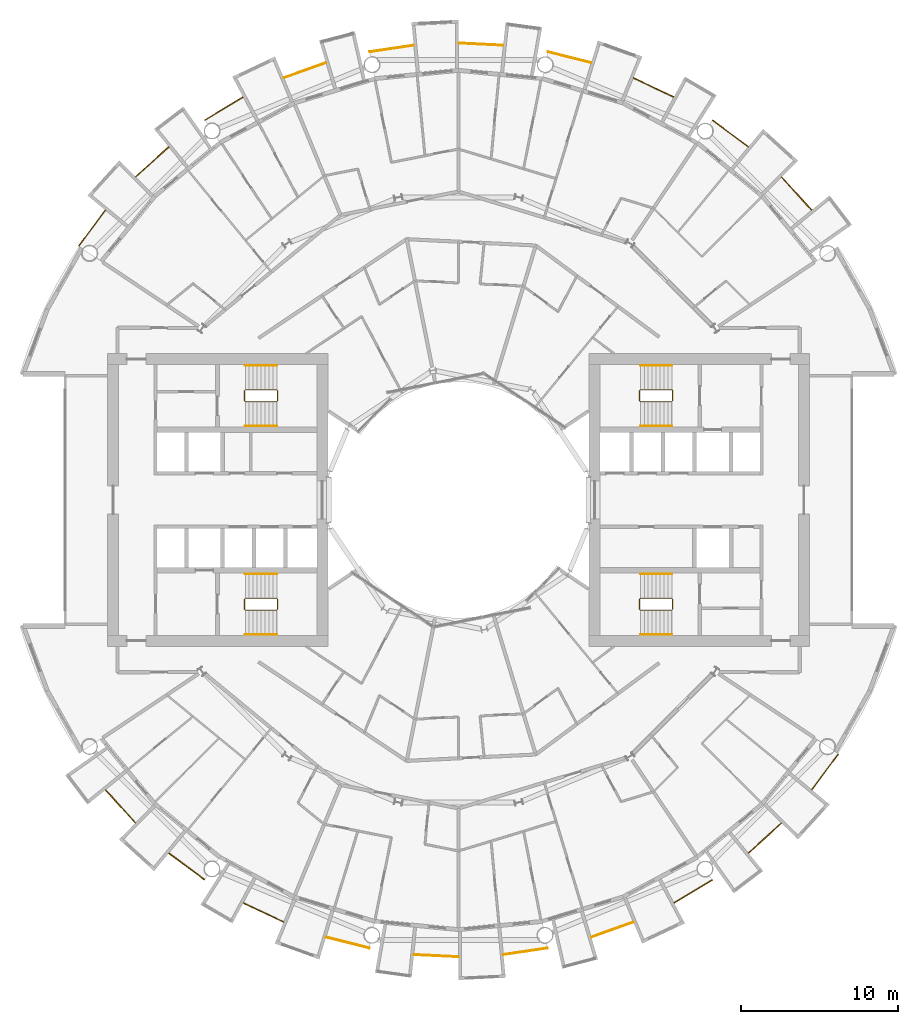
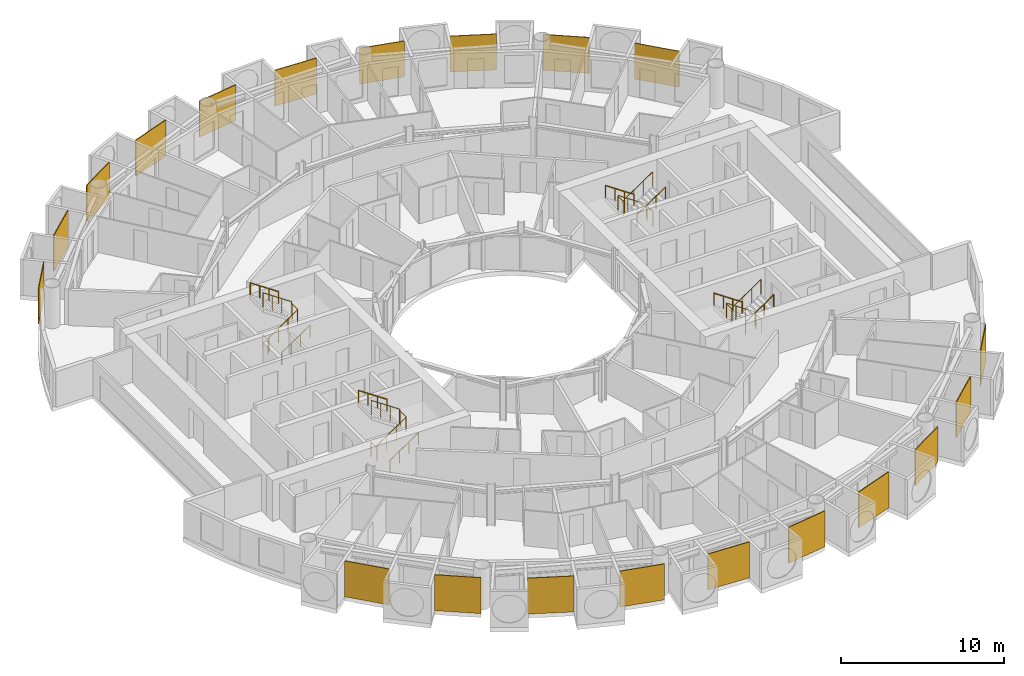
# One storey, part 25 of 25: 32 railings.
"""IFC4 building model written with IfcOpenShell, lengths in metres."""

from ifc_helpers import new_model, si_unit, direction, frame, origin, origin_2d, place, context, subcontext, project, spatial, polyline, circle, outline, extrude, material, layer, layer_set, type_object, element, save


model = new_model("IFC4")

# Units and contexts
model_context = context("Model", 3, precision=1e-05, world=origin(), true_north=direction((0.0, 1.0)))
body_context = subcontext(model_context, "Body", "Model", "MODEL_VIEW")
ifc_project = project(units=[si_unit("LENGTHUNIT", "METRE"), si_unit("AREAUNIT", "SQUARE_METRE"), si_unit("VOLUMEUNIT", "CUBIC_METRE"), si_unit("PLANEANGLEUNIT", "RADIAN"), si_unit("MASSUNIT", "GRAM", prefix="KILO")], contexts=[model_context])

# Site, building, storey
site_placement = place(None, origin())
site = spatial("IfcSite", under=ifc_project, at=site_placement, CompositionType="ELEMENT")
building_placement = place(site_placement, origin())
building = spatial("IfcBuilding", under=site, at=building_placement, Name="Maasbend Ring Residences", CompositionType="ELEMENT")
storey_placement = place(building_placement, frame((0.0, 0.0, 94.10009765625)))
storey = spatial("IfcBuildingStorey", under=building, at=storey_placement, Name="L27", CompositionType="ELEMENT", Elevation=94.10009765625)

# Railings
ifc_material_1 = material(Name="Pale anodised perforated aluminium", Category="aluminium")
ifc_layer = layer(ifc_material_1, 0.06005859375)
ifc_layer_set = layer_set([ifc_layer], Name="SCREEN-P")
railing_type_1 = type_object("IfcRailingType", Name="SCREEN-P", PredefinedType="GUARDRAIL", material=ifc_layer_set)
railing_1_placement = place(storey_placement, frame((0.0, 0.0, -0.030029296875)))
element("IfcRailing", 1, at=railing_1_placement, inside=storey, type_object=railing_type_1, Name="Perforated screen guard 1", PredefinedType="GUARDRAIL", context=body_context, shape_type="SweptSolid", body=[
    extrude(outline(polyline([(22.4169921875, 18.39697265625), (20.506103515625, 20.506103515625), (20.551025390625, 20.5458984375), (22.4619140625, 18.43798828125), (22.4169921875, 18.39697265625)])), origin(), (0.0, 0.0, 1.0), 2.679931640625),
])
railing_2_placement = place(storey_placement, frame((0.0, 0.0, -0.030029296875)))
element("IfcRailing", 2, at=railing_2_placement, inside=storey, type_object=railing_type_1, Name="Perforated screen guard 2", PredefinedType="GUARDRAIL", context=body_context, shape_type="SweptSolid", body=[
    extrude(outline(polyline([(18.39697265625, 22.4169921875), (16.112060546875, 24.113037109375), (16.14697265625, 24.160888671875), (18.43310546875, 22.465087890625), (18.39697265625, 22.4169921875)])), origin(), (0.0, 0.0, 1.0), 2.679931640625),
])
railing_3_placement = place(storey_placement, frame((0.0, 0.0, -0.030029296875)))
element("IfcRailing", 3, at=railing_3_placement, inside=storey, type_object=railing_type_1, Name="Perforated screen guard 3", PredefinedType="GUARDRAIL", context=body_context, shape_type="SweptSolid", body=[
    extrude(outline(polyline([(13.6708984375, 25.575927734375), (11.097900390625, 26.79296875), (11.123046875, 26.846923828125), (13.696044921875, 25.6298828125), (13.6708984375, 25.575927734375)])), origin(), (0.0, 0.0, 1.0), 2.679931640625),
])
railing_4_placement = place(storey_placement, frame((0.0, 0.0, -0.030029296875)))
element("IfcRailing", 4, at=railing_4_placement, inside=storey, type_object=railing_type_1, Name="Perforated screen guard 4", PredefinedType="GUARDRAIL", context=body_context, shape_type="SweptSolid", body=[
    extrude(outline(polyline([(8.41796875, 27.7509765625), (5.657958984375, 28.443115234375), (5.672119140625, 28.5009765625), (8.43310546875, 27.80908203125), (8.41796875, 27.7509765625)])), origin(), (0.0, 0.0, 1.0), 2.679931640625),
])
railing_5_placement = place(storey_placement, frame((0.0, 0.0, -0.030029296875)))
element("IfcRailing", 5, at=railing_5_placement, inside=storey, type_object=railing_type_1, Name="Perforated screen guard 5", PredefinedType="GUARDRAIL", context=body_context, shape_type="SweptSolid", body=[
    extrude(outline(polyline([(2.842041015625, 28.860107421875), (0.0, 29.0), (0.0029296875, 29.06005859375), (2.844970703125, 28.919921875), (2.842041015625, 28.860107421875)])), origin(), (0.0, 0.0, 1.0), 2.679931640625),
])
railing_6_placement = place(storey_placement, frame((0.0, 0.0, -0.030029296875)))
element("IfcRailing", 6, at=railing_6_placement, inside=storey, type_object=railing_type_1, Name="Perforated screen guard 6", PredefinedType="GUARDRAIL", context=body_context, shape_type="SweptSolid", body=[
    extrude(outline(polyline([(-2.842041015625, 28.860107421875), (-5.657958984375, 28.443115234375), (-5.666015625, 28.501953125), (-2.85107421875, 28.919921875), (-2.842041015625, 28.860107421875)])), origin(), (0.0, 0.0, 1.0), 2.679931640625),
])
railing_7_placement = place(storey_placement, frame((0.0, 0.0, -0.030029296875)))
element("IfcRailing", 7, at=railing_7_placement, inside=storey, type_object=railing_type_1, Name="Perforated screen guard 7", PredefinedType="GUARDRAIL", context=body_context, shape_type="SweptSolid", body=[
    extrude(outline(polyline([(-8.41796875, 27.7509765625), (-11.097900390625, 26.79296875), (-11.117919921875, 26.84912109375), (-8.43798828125, 27.80810546875), (-8.41796875, 27.7509765625)])), origin(), (0.0, 0.0, 1.0), 2.679931640625),
])
railing_8_placement = place(storey_placement, frame((0.0, 0.0, -0.030029296875)))
element("IfcRailing", 8, at=railing_8_placement, inside=storey, type_object=railing_type_1, Name="Perforated screen guard 8", PredefinedType="GUARDRAIL", context=body_context, shape_type="SweptSolid", body=[
    extrude(outline(polyline([(-13.6708984375, 25.575927734375), (-16.112060546875, 24.113037109375), (-16.14208984375, 24.1640625), (-13.700927734375, 25.626953125), (-13.6708984375, 25.575927734375)])), origin(), (0.0, 0.0, 1.0), 2.679931640625),
])
railing_9_placement = place(storey_placement, frame((0.0, 0.0, -0.030029296875)))
element("IfcRailing", 9, at=railing_9_placement, inside=storey, type_object=railing_type_1, Name="Perforated screen guard 9", PredefinedType="GUARDRAIL", context=body_context, shape_type="SweptSolid", body=[
    extrude(outline(polyline([(-18.39697265625, 22.4169921875), (-20.506103515625, 20.506103515625), (-20.5458984375, 20.551025390625), (-18.43798828125, 22.4619140625), (-18.39697265625, 22.4169921875)])), origin(), (0.0, 0.0, 1.0), 2.679931640625),
])
railing_10_placement = place(storey_placement, frame((0.0, 0.0, -0.030029296875)))
element("IfcRailing", 10, at=railing_10_placement, inside=storey, type_object=railing_type_1, Name="Perforated screen guard 10", PredefinedType="GUARDRAIL", context=body_context, shape_type="SweptSolid", body=[
    extrude(outline(polyline([(-22.4169921875, 18.39697265625), (-24.113037109375, 16.112060546875), (-24.160888671875, 16.14697265625), (-22.465087890625, 18.43310546875), (-22.4169921875, 18.39697265625)])), origin(), (0.0, 0.0, 1.0), 2.679931640625),
])
railing_11_placement = place(storey_placement, frame((0.0, 0.0, -0.030029296875)))
element("IfcRailing", 11, at=railing_11_placement, inside=storey, type_object=railing_type_1, Name="Perforated screen guard 1", PredefinedType="GUARDRAIL", context=body_context, shape_type="SweptSolid", body=[
    extrude(outline(polyline([(-22.4169921875, -18.39697265625), (-20.506103515625, -20.506103515625), (-20.551025390625, -20.5458984375), (-22.4619140625, -18.43798828125), (-22.4169921875, -18.39697265625)])), origin(), (0.0, 0.0, 1.0), 2.679931640625),
])
railing_12_placement = place(storey_placement, frame((0.0, 0.0, -0.030029296875)))
element("IfcRailing", 12, at=railing_12_placement, inside=storey, type_object=railing_type_1, Name="Perforated screen guard 2", PredefinedType="GUARDRAIL", context=body_context, shape_type="SweptSolid", body=[
    extrude(outline(polyline([(-18.39697265625, -22.4169921875), (-16.112060546875, -24.113037109375), (-16.14697265625, -24.160888671875), (-18.43310546875, -22.465087890625), (-18.39697265625, -22.4169921875)])), origin(), (0.0, 0.0, 1.0), 2.679931640625),
])
railing_13_placement = place(storey_placement, frame((0.0, 0.0, -0.030029296875)))
element("IfcRailing", 13, at=railing_13_placement, inside=storey, type_object=railing_type_1, Name="Perforated screen guard 3", PredefinedType="GUARDRAIL", context=body_context, shape_type="SweptSolid", body=[
    extrude(outline(polyline([(-13.6708984375, -25.575927734375), (-11.097900390625, -26.79296875), (-11.123046875, -26.846923828125), (-13.696044921875, -25.6298828125), (-13.6708984375, -25.575927734375)])), origin(), (0.0, 0.0, 1.0), 2.679931640625),
])
railing_14_placement = place(storey_placement, frame((0.0, 0.0, -0.030029296875)))
element("IfcRailing", 14, at=railing_14_placement, inside=storey, type_object=railing_type_1, Name="Perforated screen guard 4", PredefinedType="GUARDRAIL", context=body_context, shape_type="SweptSolid", body=[
    extrude(outline(polyline([(-8.41796875, -27.7509765625), (-5.657958984375, -28.443115234375), (-5.672119140625, -28.5009765625), (-8.43310546875, -27.80908203125), (-8.41796875, -27.7509765625)])), origin(), (0.0, 0.0, 1.0), 2.679931640625),
])
railing_15_placement = place(storey_placement, frame((0.0, 0.0, -0.030029296875)))
element("IfcRailing", 15, at=railing_15_placement, inside=storey, type_object=railing_type_1, Name="Perforated screen guard 5", PredefinedType="GUARDRAIL", context=body_context, shape_type="SweptSolid", body=[
    extrude(outline(polyline([(-2.842041015625, -28.860107421875), (0.0, -29.0), (-0.0029296875, -29.06005859375), (-2.844970703125, -28.919921875), (-2.842041015625, -28.860107421875)])), origin(), (0.0, 0.0, 1.0), 2.679931640625),
])
railing_16_placement = place(storey_placement, frame((0.0, 0.0, -0.030029296875)))
element("IfcRailing", 16, at=railing_16_placement, inside=storey, type_object=railing_type_1, Name="Perforated screen guard 6", PredefinedType="GUARDRAIL", context=body_context, shape_type="SweptSolid", body=[
    extrude(outline(polyline([(2.842041015625, -28.860107421875), (5.657958984375, -28.443115234375), (5.666015625, -28.501953125), (2.85107421875, -28.919921875), (2.842041015625, -28.860107421875)])), origin(), (0.0, 0.0, 1.0), 2.679931640625),
])
railing_17_placement = place(storey_placement, frame((0.0, 0.0, -0.030029296875)))
element("IfcRailing", 17, at=railing_17_placement, inside=storey, type_object=railing_type_1, Name="Perforated screen guard 7", PredefinedType="GUARDRAIL", context=body_context, shape_type="SweptSolid", body=[
    extrude(outline(polyline([(8.41796875, -27.7509765625), (11.097900390625, -26.79296875), (11.117919921875, -26.84912109375), (8.43798828125, -27.80810546875), (8.41796875, -27.7509765625)])), origin(), (0.0, 0.0, 1.0), 2.679931640625),
])
railing_18_placement = place(storey_placement, frame((0.0, 0.0, -0.030029296875)))
element("IfcRailing", 18, at=railing_18_placement, inside=storey, type_object=railing_type_1, Name="Perforated screen guard 8", PredefinedType="GUARDRAIL", context=body_context, shape_type="SweptSolid", body=[
    extrude(outline(polyline([(13.6708984375, -25.575927734375), (16.112060546875, -24.113037109375), (16.14208984375, -24.1640625), (13.700927734375, -25.626953125), (13.6708984375, -25.575927734375)])), origin(), (0.0, 0.0, 1.0), 2.679931640625),
])
railing_19_placement = place(storey_placement, frame((0.0, 0.0, -0.030029296875)))
element("IfcRailing", 19, at=railing_19_placement, inside=storey, type_object=railing_type_1, Name="Perforated screen guard 9", PredefinedType="GUARDRAIL", context=body_context, shape_type="SweptSolid", body=[
    extrude(outline(polyline([(18.39697265625, -22.4169921875), (20.506103515625, -20.506103515625), (20.5458984375, -20.551025390625), (18.43798828125, -22.4619140625), (18.39697265625, -22.4169921875)])), origin(), (0.0, 0.0, 1.0), 2.679931640625),
])
railing_20_placement = place(storey_placement, frame((0.0, 0.0, -0.030029296875)))
element("IfcRailing", 20, at=railing_20_placement, inside=storey, type_object=railing_type_1, Name="Perforated screen guard 10", PredefinedType="GUARDRAIL", context=body_context, shape_type="SweptSolid", body=[
    extrude(outline(polyline([(22.4169921875, -18.39697265625), (24.113037109375, -16.112060546875), (24.160888671875, -16.14697265625), (22.465087890625, -18.43310546875), (22.4169921875, -18.39697265625)])), origin(), (0.0, 0.0, 1.0), 2.679931640625),
])
ifc_material_2 = material(Name="Stainless steel 316", Category="steel")
railing_type_2 = type_object("IfcRailingType", Name="STAIR GUARD 1100", PredefinedType="GUARDRAIL", material=ifc_material_2)
railing_21_placement = place(storey_placement, frame((13.60009765625, 6.300048828125, 0.0)))
element("IfcRailing", 21, at=railing_21_placement, inside=storey, type_object=railing_type_2, Name="L27 ST-E1 stair guard 1", PredefinedType="GUARDRAIL", context=body_context, shape_type="SweptSolid", body=[
    extrude(circle(Radius=0.02392578125, at=origin_2d()), frame((0.0, 0.0, 1.076171875), z_axis=(0.0, 1.0, 0.0), x_axis=(-1.0, 0.0, 0.0)), (0.0, 0.0, 1.0), 0.64990234375),
    extrude(circle(Radius=0.02392578125, at=origin_2d()), frame((0.0, 0.64990234375, 1.076171875), z_axis=(-0.272562526181, 0.272562526181, 0.92272386912), x_axis=(-0.707106781187, -0.707106781187, 0.0)), (0.0, 0.0, 1.0), 0.18359375),
    extrude(circle(Radius=0.02392578125, at=origin_2d()), frame((-0.050048828125, 0.699951171875, 1.24560546875), z_axis=(-0.827797584762, 0.0, 0.561026878735), x_axis=(0.0, -1.0, 0.0)), (0.0, 0.0, 1.0), 2.416015625),
    extrude(circle(Radius=0.02392578125, at=origin_2d()), frame((-2.050048828125, 0.699951171875, 2.60107421875), z_axis=(-0.707106781187, -0.707106781187, 0.0), x_axis=(0.707106781187, -0.707106781187, 0.0)), (0.0, 0.0, 1.0), 0.07080078125),
    extrude(circle(Radius=0.02392578125, at=origin_2d()), frame((-2.10009765625, 0.64990234375, 2.60107421875), z_axis=(0.0, -1.0, 0.0), x_axis=(1.0, 0.0, 0.0)), (0.0, 0.0, 1.0), 0.64990234375),
    extrude(circle(Radius=0.02392578125, at=origin_2d()), frame((-2.10009765625, 0.0, 2.60107421875), z_axis=(0.272562526181, -0.272562526181, 0.92272386912), x_axis=(0.707106781187, 0.707106781187, 0.0)), (0.0, 0.0, 1.0), 0.18359375),
    extrude(circle(Radius=0.02392578125, at=origin_2d()), frame((-2.050048828125, -0.050048828125, 2.7705078125), z_axis=(0.827797584762, 0.0, 0.561026878735), x_axis=(0.0, 1.0, 0.0)), (0.0, 0.0, 1.0), 2.416015625),
    extrude(circle(Radius=0.02099609375, at=origin_2d()), origin(), (0.0, 0.0, 1.0), 1.052001953125),
    extrude(circle(Radius=0.02099609375, at=origin_2d()), frame((0.0, 0.64990234375, 0.0)), (0.0, 0.0, 1.0), 1.052001953125),
    extrude(circle(Radius=0.02099609375, at=origin_2d()), frame((-0.050048828125, 0.699951171875, 0.16943359375)), (0.0, 0.0, 1.0), 1.052001953125),
    extrude(circle(Radius=0.02099609375, at=origin_2d()), frame((-0.716796875, 0.699951171875, 0.621337890625)), (0.0, 0.0, 1.0), 1.052001953125),
    extrude(circle(Radius=0.02099609375, at=origin_2d()), frame((-1.38330078125, 0.699951171875, 1.072998046875)), (0.0, 0.0, 1.0), 1.052001953125),
    extrude(circle(Radius=0.02099609375, at=origin_2d()), frame((-2.050048828125, 0.699951171875, 1.52490234375)), (0.0, 0.0, 1.0), 1.052001953125),
    extrude(circle(Radius=0.02099609375, at=origin_2d()), frame((-2.10009765625, 0.64990234375, 1.52490234375)), (0.0, 0.0, 1.0), 1.052001953125),
    extrude(circle(Radius=0.02099609375, at=origin_2d()), frame((-2.10009765625, 0.0, 1.52490234375)), (0.0, 0.0, 1.0), 1.052001953125),
    extrude(circle(Radius=0.02099609375, at=origin_2d()), frame((-2.050048828125, -0.050048828125, 1.6943359375)), (0.0, 0.0, 1.0), 1.052001953125),
    extrude(circle(Radius=0.02099609375, at=origin_2d()), frame((-1.38330078125, -0.050048828125, 2.146240234375)), (0.0, 0.0, 1.0), 1.052001953125),
    extrude(circle(Radius=0.02099609375, at=origin_2d()), frame((-0.716796875, -0.050048828125, 2.597900390625)), (0.0, 0.0, 1.0), 1.052001953125),
    extrude(circle(Radius=0.02099609375, at=origin_2d()), frame((-0.050048828125, -0.050048828125, 3.0498046875)), (0.0, 0.0, 1.0), 1.052001953125),
])
railing_22_placement = place(storey_placement, frame((13.60009765625, -6.949951171875, 0.0)))
element("IfcRailing", 22, at=railing_22_placement, inside=storey, type_object=railing_type_2, Name="L27 ST-E2 stair guard 1", PredefinedType="GUARDRAIL", context=body_context, shape_type="SweptSolid", body=[
    extrude(circle(Radius=0.02392578125, at=origin_2d()), frame((0.0, 0.0, 1.076171875), z_axis=(0.0, 1.0, 0.0), x_axis=(-1.0, 0.0, 0.0)), (0.0, 0.0, 1.0), 0.64990234375),
    extrude(circle(Radius=0.02392578125, at=origin_2d()), frame((0.0, 0.64990234375, 1.076171875), z_axis=(-0.272562526181, 0.272562526181, 0.92272386912), x_axis=(-0.707106781187, -0.707106781187, 0.0)), (0.0, 0.0, 1.0), 0.18359375),
    extrude(circle(Radius=0.02392578125, at=origin_2d()), frame((-0.050048828125, 0.699951171875, 1.24560546875), z_axis=(-0.827797584762, 0.0, 0.561026878735), x_axis=(0.0, -1.0, 0.0)), (0.0, 0.0, 1.0), 2.416015625),
    extrude(circle(Radius=0.02392578125, at=origin_2d()), frame((-2.050048828125, 0.699951171875, 2.60107421875), z_axis=(-0.707106781187, -0.707106781187, 0.0), x_axis=(0.707106781187, -0.707106781187, 0.0)), (0.0, 0.0, 1.0), 0.07080078125),
    extrude(circle(Radius=0.02392578125, at=origin_2d()), frame((-2.10009765625, 0.64990234375, 2.60107421875), z_axis=(0.0, -1.0, 0.0), x_axis=(1.0, 0.0, 0.0)), (0.0, 0.0, 1.0), 0.64990234375),
    extrude(circle(Radius=0.02392578125, at=origin_2d()), frame((-2.10009765625, 0.0, 2.60107421875), z_axis=(0.272562526181, -0.272562526181, 0.92272386912), x_axis=(0.707106781187, 0.707106781187, 0.0)), (0.0, 0.0, 1.0), 0.18359375),
    extrude(circle(Radius=0.02392578125, at=origin_2d()), frame((-2.050048828125, -0.050048828125, 2.7705078125), z_axis=(0.827797584762, 0.0, 0.561026878735), x_axis=(0.0, 1.0, 0.0)), (0.0, 0.0, 1.0), 2.416015625),
    extrude(circle(Radius=0.02099609375, at=origin_2d()), origin(), (0.0, 0.0, 1.0), 1.052001953125),
    extrude(circle(Radius=0.02099609375, at=origin_2d()), frame((0.0, 0.64990234375, 0.0)), (0.0, 0.0, 1.0), 1.052001953125),
    extrude(circle(Radius=0.02099609375, at=origin_2d()), frame((-0.050048828125, 0.699951171875, 0.16943359375)), (0.0, 0.0, 1.0), 1.052001953125),
    extrude(circle(Radius=0.02099609375, at=origin_2d()), frame((-0.716796875, 0.699951171875, 0.621337890625)), (0.0, 0.0, 1.0), 1.052001953125),
    extrude(circle(Radius=0.02099609375, at=origin_2d()), frame((-1.38330078125, 0.699951171875, 1.072998046875)), (0.0, 0.0, 1.0), 1.052001953125),
    extrude(circle(Radius=0.02099609375, at=origin_2d()), frame((-2.050048828125, 0.699951171875, 1.52490234375)), (0.0, 0.0, 1.0), 1.052001953125),
    extrude(circle(Radius=0.02099609375, at=origin_2d()), frame((-2.10009765625, 0.64990234375, 1.52490234375)), (0.0, 0.0, 1.0), 1.052001953125),
    extrude(circle(Radius=0.02099609375, at=origin_2d()), frame((-2.10009765625, 0.0, 1.52490234375)), (0.0, 0.0, 1.0), 1.052001953125),
    extrude(circle(Radius=0.02099609375, at=origin_2d()), frame((-2.050048828125, -0.050048828125, 1.6943359375)), (0.0, 0.0, 1.0), 1.052001953125),
    extrude(circle(Radius=0.02099609375, at=origin_2d()), frame((-1.38330078125, -0.050048828125, 2.146240234375)), (0.0, 0.0, 1.0), 1.052001953125),
    extrude(circle(Radius=0.02099609375, at=origin_2d()), frame((-0.716796875, -0.050048828125, 2.597900390625)), (0.0, 0.0, 1.0), 1.052001953125),
    extrude(circle(Radius=0.02099609375, at=origin_2d()), frame((-0.050048828125, -0.050048828125, 3.0498046875)), (0.0, 0.0, 1.0), 1.052001953125),
])
railing_23_placement = place(storey_placement, frame((-13.60009765625, -6.300048828125, 0.0)))
element("IfcRailing", 23, at=railing_23_placement, inside=storey, type_object=railing_type_2, Name="L27 ST-W1 stair guard 1", PredefinedType="GUARDRAIL", context=body_context, shape_type="SweptSolid", body=[
    extrude(circle(Radius=0.02392578125, at=origin_2d()), frame((0.0, 0.0, 1.076171875), z_axis=(0.0, -1.0, 0.0), x_axis=(1.0, 0.0, 0.0)), (0.0, 0.0, 1.0), 0.64990234375),
    extrude(circle(Radius=0.02392578125, at=origin_2d()), frame((0.0, -0.64990234375, 1.076171875), z_axis=(0.272562526181, -0.272562526181, 0.92272386912), x_axis=(0.707106781187, 0.707106781187, 0.0)), (0.0, 0.0, 1.0), 0.18359375),
    extrude(circle(Radius=0.02392578125, at=origin_2d()), frame((0.050048828125, -0.699951171875, 1.24560546875), z_axis=(0.827797584762, 0.0, 0.561026878735), x_axis=(0.0, 1.0, 0.0)), (0.0, 0.0, 1.0), 2.416015625),
    extrude(circle(Radius=0.02392578125, at=origin_2d()), frame((2.050048828125, -0.699951171875, 2.60107421875), z_axis=(0.707106781187, 0.707106781187, 0.0), x_axis=(-0.707106781187, 0.707106781187, 0.0)), (0.0, 0.0, 1.0), 0.07080078125),
    extrude(circle(Radius=0.02392578125, at=origin_2d()), frame((2.10009765625, -0.64990234375, 2.60107421875), z_axis=(0.0, 1.0, 0.0), x_axis=(-1.0, 0.0, 0.0)), (0.0, 0.0, 1.0), 0.64990234375),
    extrude(circle(Radius=0.02392578125, at=origin_2d()), frame((2.10009765625, 0.0, 2.60107421875), z_axis=(-0.272562526181, 0.272562526181, 0.92272386912), x_axis=(-0.707106781187, -0.707106781187, 0.0)), (0.0, 0.0, 1.0), 0.18359375),
    extrude(circle(Radius=0.02392578125, at=origin_2d()), frame((2.050048828125, 0.050048828125, 2.7705078125), z_axis=(-0.827797584762, 0.0, 0.561026878735), x_axis=(0.0, -1.0, 0.0)), (0.0, 0.0, 1.0), 2.416015625),
    extrude(circle(Radius=0.02099609375, at=origin_2d()), origin(), (0.0, 0.0, 1.0), 1.052001953125),
    extrude(circle(Radius=0.02099609375, at=origin_2d()), frame((0.0, -0.64990234375, 0.0)), (0.0, 0.0, 1.0), 1.052001953125),
    extrude(circle(Radius=0.02099609375, at=origin_2d()), frame((0.050048828125, -0.699951171875, 0.16943359375)), (0.0, 0.0, 1.0), 1.052001953125),
    extrude(circle(Radius=0.02099609375, at=origin_2d()), frame((0.716796875, -0.699951171875, 0.621337890625)), (0.0, 0.0, 1.0), 1.052001953125),
    extrude(circle(Radius=0.02099609375, at=origin_2d()), frame((1.38330078125, -0.699951171875, 1.072998046875)), (0.0, 0.0, 1.0), 1.052001953125),
    extrude(circle(Radius=0.02099609375, at=origin_2d()), frame((2.050048828125, -0.699951171875, 1.52490234375)), (0.0, 0.0, 1.0), 1.052001953125),
    extrude(circle(Radius=0.02099609375, at=origin_2d()), frame((2.10009765625, -0.64990234375, 1.52490234375)), (0.0, 0.0, 1.0), 1.052001953125),
    extrude(circle(Radius=0.02099609375, at=origin_2d()), frame((2.10009765625, 0.0, 1.52490234375)), (0.0, 0.0, 1.0), 1.052001953125),
    extrude(circle(Radius=0.02099609375, at=origin_2d()), frame((2.050048828125, 0.050048828125, 1.6943359375)), (0.0, 0.0, 1.0), 1.052001953125),
    extrude(circle(Radius=0.02099609375, at=origin_2d()), frame((1.38330078125, 0.050048828125, 2.146240234375)), (0.0, 0.0, 1.0), 1.052001953125),
    extrude(circle(Radius=0.02099609375, at=origin_2d()), frame((0.716796875, 0.050048828125, 2.597900390625)), (0.0, 0.0, 1.0), 1.052001953125),
    extrude(circle(Radius=0.02099609375, at=origin_2d()), frame((0.050048828125, 0.050048828125, 3.0498046875)), (0.0, 0.0, 1.0), 1.052001953125),
])
railing_24_placement = place(storey_placement, frame((-13.60009765625, 6.949951171875, 0.0)))
element("IfcRailing", 24, at=railing_24_placement, inside=storey, type_object=railing_type_2, Name="L27 ST-W2 stair guard 1", PredefinedType="GUARDRAIL", context=body_context, shape_type="SweptSolid", body=[
    extrude(circle(Radius=0.02392578125, at=origin_2d()), frame((0.0, 0.0, 1.076171875), z_axis=(0.0, -1.0, 0.0), x_axis=(1.0, 0.0, 0.0)), (0.0, 0.0, 1.0), 0.64990234375),
    extrude(circle(Radius=0.02392578125, at=origin_2d()), frame((0.0, -0.64990234375, 1.076171875), z_axis=(0.272562526181, -0.272562526181, 0.92272386912), x_axis=(0.707106781187, 0.707106781187, 0.0)), (0.0, 0.0, 1.0), 0.18359375),
    extrude(circle(Radius=0.02392578125, at=origin_2d()), frame((0.050048828125, -0.699951171875, 1.24560546875), z_axis=(0.827797584762, 0.0, 0.561026878735), x_axis=(0.0, 1.0, 0.0)), (0.0, 0.0, 1.0), 2.416015625),
    extrude(circle(Radius=0.02392578125, at=origin_2d()), frame((2.050048828125, -0.699951171875, 2.60107421875), z_axis=(0.707106781187, 0.707106781187, 0.0), x_axis=(-0.707106781187, 0.707106781187, 0.0)), (0.0, 0.0, 1.0), 0.07080078125),
    extrude(circle(Radius=0.02392578125, at=origin_2d()), frame((2.10009765625, -0.64990234375, 2.60107421875), z_axis=(0.0, 1.0, 0.0), x_axis=(-1.0, 0.0, 0.0)), (0.0, 0.0, 1.0), 0.64990234375),
    extrude(circle(Radius=0.02392578125, at=origin_2d()), frame((2.10009765625, 0.0, 2.60107421875), z_axis=(-0.272562526181, 0.272562526181, 0.92272386912), x_axis=(-0.707106781187, -0.707106781187, 0.0)), (0.0, 0.0, 1.0), 0.18359375),
    extrude(circle(Radius=0.02392578125, at=origin_2d()), frame((2.050048828125, 0.050048828125, 2.7705078125), z_axis=(-0.827797584762, 0.0, 0.561026878735), x_axis=(0.0, -1.0, 0.0)), (0.0, 0.0, 1.0), 2.416015625),
    extrude(circle(Radius=0.02099609375, at=origin_2d()), origin(), (0.0, 0.0, 1.0), 1.052001953125),
    extrude(circle(Radius=0.02099609375, at=origin_2d()), frame((0.0, -0.64990234375, 0.0)), (0.0, 0.0, 1.0), 1.052001953125),
    extrude(circle(Radius=0.02099609375, at=origin_2d()), frame((0.050048828125, -0.699951171875, 0.16943359375)), (0.0, 0.0, 1.0), 1.052001953125),
    extrude(circle(Radius=0.02099609375, at=origin_2d()), frame((0.716796875, -0.699951171875, 0.621337890625)), (0.0, 0.0, 1.0), 1.052001953125),
    extrude(circle(Radius=0.02099609375, at=origin_2d()), frame((1.38330078125, -0.699951171875, 1.072998046875)), (0.0, 0.0, 1.0), 1.052001953125),
    extrude(circle(Radius=0.02099609375, at=origin_2d()), frame((2.050048828125, -0.699951171875, 1.52490234375)), (0.0, 0.0, 1.0), 1.052001953125),
    extrude(circle(Radius=0.02099609375, at=origin_2d()), frame((2.10009765625, -0.64990234375, 1.52490234375)), (0.0, 0.0, 1.0), 1.052001953125),
    extrude(circle(Radius=0.02099609375, at=origin_2d()), frame((2.10009765625, 0.0, 1.52490234375)), (0.0, 0.0, 1.0), 1.052001953125),
    extrude(circle(Radius=0.02099609375, at=origin_2d()), frame((2.050048828125, 0.050048828125, 1.6943359375)), (0.0, 0.0, 1.0), 1.052001953125),
    extrude(circle(Radius=0.02099609375, at=origin_2d()), frame((1.38330078125, 0.050048828125, 2.146240234375)), (0.0, 0.0, 1.0), 1.052001953125),
    extrude(circle(Radius=0.02099609375, at=origin_2d()), frame((0.716796875, 0.050048828125, 2.597900390625)), (0.0, 0.0, 1.0), 1.052001953125),
    extrude(circle(Radius=0.02099609375, at=origin_2d()), frame((0.050048828125, 0.050048828125, 3.0498046875)), (0.0, 0.0, 1.0), 1.052001953125),
])
ifc_material_3 = material(Name="Stainless steel 316", Category="steel")
railing_type_3 = type_object("IfcRailingType", Name="STAIR HANDRAIL 900", PredefinedType="HANDRAIL", material=ifc_material_3)
railing_25_placement = place(storey_placement, frame((13.550048828125, 8.550048828125, 0.16943359375)))
element("IfcRailing", 25, at=railing_25_placement, inside=storey, type_object=railing_type_3, Name="L27 ST-E1 stair handrail 1", PredefinedType="HANDRAIL", context=body_context, shape_type="SweptSolid", body=[
    extrude(circle(Radius=0.02392578125, at=origin_2d()), frame((0.0, 0.0, 0.8759765625), z_axis=(-0.827797584762, 0.0, 0.561026878735), x_axis=(0.0, -1.0, 0.0)), (0.0, 0.0, 1.0), 2.416015625),
    extrude(circle(Radius=0.02099609375, at=origin_2d()), origin(), (0.0, 0.0, 1.0), 0.851806640625),
    extrude(circle(Radius=0.02099609375, at=origin_2d()), frame((-0.666748046875, 0.0, 0.451904296875)), (0.0, 0.0, 1.0), 0.851806640625),
    extrude(circle(Radius=0.02099609375, at=origin_2d()), frame((-1.333251953125, 0.0, 0.903564453125)), (0.0, 0.0, 1.0), 0.851806640625),
    extrude(circle(Radius=0.02099609375, at=origin_2d()), frame((-2.0, 0.0, 1.35546875)), (0.0, 0.0, 1.0), 0.851806640625),
])
railing_26_placement = place(storey_placement, frame((11.550048828125, 4.699951171875, 1.6943359375)))
element("IfcRailing", 26, at=railing_26_placement, inside=storey, type_object=railing_type_3, Name="L27 ST-E1 stair handrail 2", PredefinedType="HANDRAIL", context=body_context, shape_type="SweptSolid", body=[
    extrude(circle(Radius=0.02392578125, at=origin_2d()), frame((0.0, 0.0, 0.8759765625), z_axis=(0.827797584762, 0.0, 0.561026878735), x_axis=(0.0, 1.0, 0.0)), (0.0, 0.0, 1.0), 2.416015625),
    extrude(circle(Radius=0.02099609375, at=origin_2d()), origin(), (0.0, 0.0, 1.0), 0.851806640625),
    extrude(circle(Radius=0.02099609375, at=origin_2d()), frame((0.666748046875, 0.0, 0.451904296875)), (0.0, 0.0, 1.0), 0.851806640625),
    extrude(circle(Radius=0.02099609375, at=origin_2d()), frame((1.333251953125, 0.0, 0.903564453125)), (0.0, 0.0, 1.0), 0.851806640625),
    extrude(circle(Radius=0.02099609375, at=origin_2d()), frame((2.0, 0.0, 1.35546875)), (0.0, 0.0, 1.0), 0.851806640625),
])
railing_27_placement = place(storey_placement, frame((13.550048828125, -4.699951171875, 0.16943359375)))
element("IfcRailing", 27, at=railing_27_placement, inside=storey, type_object=railing_type_3, Name="L27 ST-E2 stair handrail 1", PredefinedType="HANDRAIL", context=body_context, shape_type="SweptSolid", body=[
    extrude(circle(Radius=0.02392578125, at=origin_2d()), frame((0.0, 0.0, 0.8759765625), z_axis=(-0.827797584762, 0.0, 0.561026878735), x_axis=(0.0, -1.0, 0.0)), (0.0, 0.0, 1.0), 2.416015625),
    extrude(circle(Radius=0.02099609375, at=origin_2d()), origin(), (0.0, 0.0, 1.0), 0.851806640625),
    extrude(circle(Radius=0.02099609375, at=origin_2d()), frame((-0.666748046875, 0.0, 0.451904296875)), (0.0, 0.0, 1.0), 0.851806640625),
    extrude(circle(Radius=0.02099609375, at=origin_2d()), frame((-1.333251953125, 0.0, 0.903564453125)), (0.0, 0.0, 1.0), 0.851806640625),
    extrude(circle(Radius=0.02099609375, at=origin_2d()), frame((-2.0, 0.0, 1.35546875)), (0.0, 0.0, 1.0), 0.851806640625),
])
for number, where, name in (
    (28, (11.550048828125, -8.550048828125, 1.6943359375), "L27 ST-E2 stair handrail 2"),
    (29, (-13.550048828125, -8.550048828125, 0.16943359375), "L27 ST-W1 stair handrail 1"),
):
    element("IfcRailing", number, at=place(storey_placement, frame(where)), inside=storey, type_object=railing_type_3, Name=name, PredefinedType="HANDRAIL", context=body_context, shape_type="SweptSolid", body=[
        extrude(circle(Radius=0.02392578125, at=origin_2d()), frame((0.0, 0.0, 0.8759765625), z_axis=(0.827797584762, 0.0, 0.561026878735), x_axis=(0.0, 1.0, 0.0)), (0.0, 0.0, 1.0), 2.416015625),
        extrude(circle(Radius=0.02099609375, at=origin_2d()), origin(), (0.0, 0.0, 1.0), 0.851806640625),
        extrude(circle(Radius=0.02099609375, at=origin_2d()), frame((0.666748046875, 0.0, 0.451904296875)), (0.0, 0.0, 1.0), 0.851806640625),
        extrude(circle(Radius=0.02099609375, at=origin_2d()), frame((1.333251953125, 0.0, 0.903564453125)), (0.0, 0.0, 1.0), 0.851806640625),
        extrude(circle(Radius=0.02099609375, at=origin_2d()), frame((2.0, 0.0, 1.35546875)), (0.0, 0.0, 1.0), 0.851806640625),
    ])
railing_28_placement = place(storey_placement, frame((-11.550048828125, -4.699951171875, 1.6943359375)))
element("IfcRailing", 30, at=railing_28_placement, inside=storey, type_object=railing_type_3, Name="L27 ST-W1 stair handrail 2", PredefinedType="HANDRAIL", context=body_context, shape_type="SweptSolid", body=[
    extrude(circle(Radius=0.02392578125, at=origin_2d()), frame((0.0, 0.0, 0.8759765625), z_axis=(-0.827797584762, 0.0, 0.561026878735), x_axis=(0.0, -1.0, 0.0)), (0.0, 0.0, 1.0), 2.416015625),
    extrude(circle(Radius=0.02099609375, at=origin_2d()), origin(), (0.0, 0.0, 1.0), 0.851806640625),
    extrude(circle(Radius=0.02099609375, at=origin_2d()), frame((-0.666748046875, 0.0, 0.451904296875)), (0.0, 0.0, 1.0), 0.851806640625),
    extrude(circle(Radius=0.02099609375, at=origin_2d()), frame((-1.333251953125, 0.0, 0.903564453125)), (0.0, 0.0, 1.0), 0.851806640625),
    extrude(circle(Radius=0.02099609375, at=origin_2d()), frame((-2.0, 0.0, 1.35546875)), (0.0, 0.0, 1.0), 0.851806640625),
])
railing_29_placement = place(storey_placement, frame((-13.550048828125, 4.699951171875, 0.16943359375)))
element("IfcRailing", 31, at=railing_29_placement, inside=storey, type_object=railing_type_3, Name="L27 ST-W2 stair handrail 1", PredefinedType="HANDRAIL", context=body_context, shape_type="SweptSolid", body=[
    extrude(circle(Radius=0.02392578125, at=origin_2d()), frame((0.0, 0.0, 0.8759765625), z_axis=(0.827797584762, 0.0, 0.561026878735), x_axis=(0.0, 1.0, 0.0)), (0.0, 0.0, 1.0), 2.416015625),
    extrude(circle(Radius=0.02099609375, at=origin_2d()), origin(), (0.0, 0.0, 1.0), 0.851806640625),
    extrude(circle(Radius=0.02099609375, at=origin_2d()), frame((0.666748046875, 0.0, 0.451904296875)), (0.0, 0.0, 1.0), 0.851806640625),
    extrude(circle(Radius=0.02099609375, at=origin_2d()), frame((1.333251953125, 0.0, 0.903564453125)), (0.0, 0.0, 1.0), 0.851806640625),
    extrude(circle(Radius=0.02099609375, at=origin_2d()), frame((2.0, 0.0, 1.35546875)), (0.0, 0.0, 1.0), 0.851806640625),
])
railing_30_placement = place(storey_placement, frame((-11.550048828125, 8.550048828125, 1.6943359375)))
element("IfcRailing", 32, at=railing_30_placement, inside=storey, type_object=railing_type_3, Name="L27 ST-W2 stair handrail 2", PredefinedType="HANDRAIL", context=body_context, shape_type="SweptSolid", body=[
    extrude(circle(Radius=0.02392578125, at=origin_2d()), frame((0.0, 0.0, 0.8759765625), z_axis=(-0.827797584762, 0.0, 0.561026878735), x_axis=(0.0, -1.0, 0.0)), (0.0, 0.0, 1.0), 2.416015625),
    extrude(circle(Radius=0.02099609375, at=origin_2d()), origin(), (0.0, 0.0, 1.0), 0.851806640625),
    extrude(circle(Radius=0.02099609375, at=origin_2d()), frame((-0.666748046875, 0.0, 0.451904296875)), (0.0, 0.0, 1.0), 0.851806640625),
    extrude(circle(Radius=0.02099609375, at=origin_2d()), frame((-1.333251953125, 0.0, 0.903564453125)), (0.0, 0.0, 1.0), 0.851806640625),
    extrude(circle(Radius=0.02099609375, at=origin_2d()), frame((-2.0, 0.0, 1.35546875)), (0.0, 0.0, 1.0), 0.851806640625),
])

save(model, "model.ifc")
